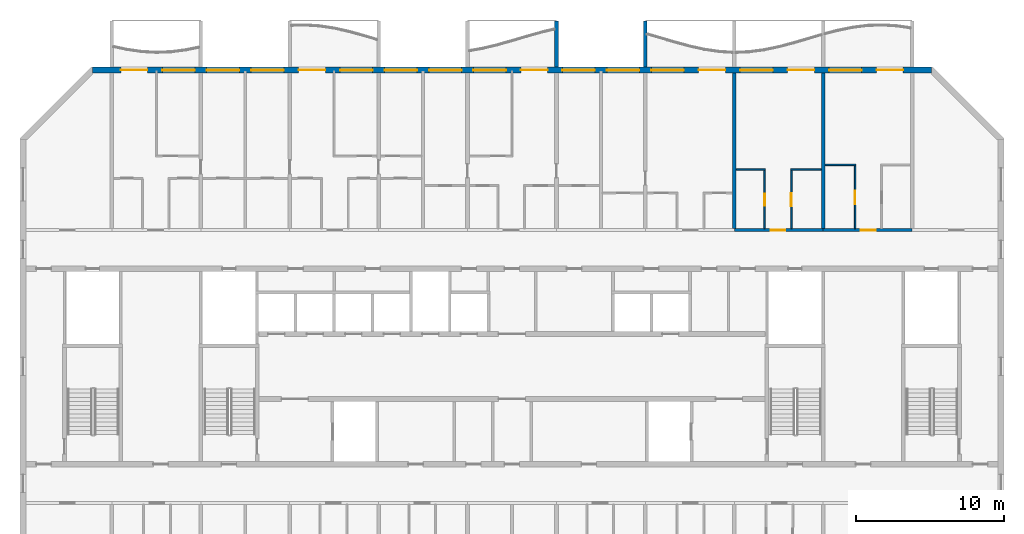
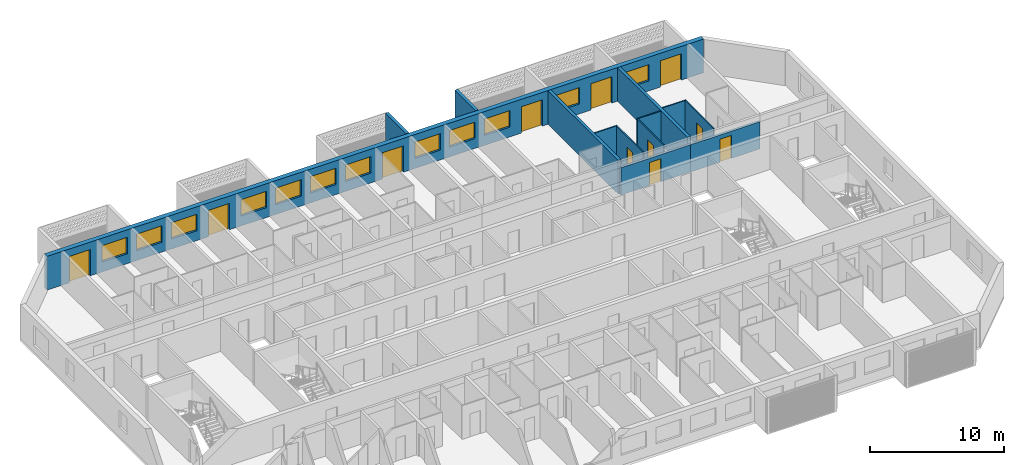
# One storey, part 10 of 26: 13 walls, 12 windows, 11 doors, 23 openings.
"""IFC4 building model written with IfcOpenShell, lengths in metres."""

from ifc_helpers import new_model, si_unit, direction, frame, frame_2d, origin, place, context, subcontext, project, spatial, polyline, rectangle, outline, extrude, source, transform, mapped, material, layer, layer_set, type_object, element, fill, save


model = new_model("IFC4")

# Units and contexts
model_context = context("Model", 3, precision=1e-05, world=origin(), true_north=direction((0.0, 1.0)))
body_context = subcontext(model_context, "Body", "Model", "MODEL_VIEW")
ifc_project = project(units=[si_unit("LENGTHUNIT", "METRE"), si_unit("AREAUNIT", "SQUARE_METRE"), si_unit("VOLUMEUNIT", "CUBIC_METRE"), si_unit("PLANEANGLEUNIT", "RADIAN"), si_unit("MASSUNIT", "GRAM", prefix="KILO")], contexts=[model_context])

# Site, building, storey
site_placement = place(None, origin())
site = spatial("IfcSite", under=ifc_project, at=site_placement, CompositionType="ELEMENT")
building_placement = place(site_placement, origin())
building = spatial("IfcBuilding", under=site, at=building_placement, Name="Poui Terraces", CompositionType="ELEMENT")
storey_placement = place(building_placement, frame((0.0, 0.0, 244.5)))
storey = spatial("IfcBuildingStorey", under=building, at=storey_placement, Name="L68", CompositionType="ELEMENT", Elevation=244.5)

# Wall, opening, door
ifc_material_1 = material(Name="Concrete 50 MPa", Category="concrete")
ifc_layer_1 = layer(ifc_material_1, 0.199951171875)
ifc_layer_set_1 = layer_set([ifc_layer_1], Name="Concrete 50 MPa")
wall_type_1 = type_object("IfcWallType", Name="CORRIDOR WALL 200 50MPa", PredefinedType="SHEAR", material=ifc_layer_set_1)
wall_1_placement = place(storey_placement, frame((66.0, 30.39990234375, 0.0), z_axis=(0.0, 0.0, 1.0), x_axis=(1.0, 0.0, 0.0)))
wall_1 = element("IfcWall", 1, at=wall_1_placement, inside=storey, type_object=wall_type_1, Name="CORRIDOR WALL LINE E BAY 9", PredefinedType="SHEAR", context=body_context, shape_type="SweptSolid", body=[
    extrude(rectangle(XDim=6.0, YDim=0.199951171875, at=frame_2d((3.0, 0.0))), origin(), (0.0, 0.0, 1.0), 2.47998046875),
])
opening_1_placement = place(wall_1_placement, frame((2.449951171875, 0.0, 0.0)))
opening_1 = element("IfcOpeningElement", 2, at=opening_1_placement, cuts=wall_1, Name="Opening FD30S", PredefinedType="OPENING", context=body_context, shape_type="SweptSolid", body=[
    extrude(rectangle(XDim=1.0, YDim=2.10009765625, at=frame_2d((0.5, 1.050048828125))), frame((0.0, 0.10986328125, 0.0), z_axis=(0.0, -1.0, 0.0), x_axis=(1.0, 0.0, 0.0)), (0.0, 0.0, 1.0), 0.219970703125),
])
ifc_material_2 = material(Name="Steel fire door", Category="steel")
door_type_1 = type_object("IfcDoorType", Name="FLAT ENTRANCE DOOR 1000 X 2100", OperationType="NOTDEFINED", PredefinedType="DOOR", material=ifc_material_2)
door_1_placement = place(opening_1_placement, origin())
door_1 = element("IfcDoor", 3, at=door_1_placement, inside=storey, type_object=door_type_1, Name="FLAT ENTRANCE DOOR 055", OperationType="SINGLE_SWING_LEFT", OverallHeight=2.10009765625, OverallWidth=1.0, PredefinedType="DOOR", context=body_context, shape_type="SweptSolid", body=[
    extrude(rectangle(XDim=1.0, YDim=2.10009765625, at=frame_2d((0.5, 1.050048828125))), frame((0.0, 0.02490234375, 0.0), z_axis=(0.0, -1.0, 0.0), x_axis=(1.0, 0.0, 0.0)), (0.0, 0.0, 1.0), 0.050048828125),
])
fill(opening_1, door_1)

wall_2_placement = place(storey_placement, frame((72.0, 30.39990234375, 0.0), z_axis=(0.0, 0.0, 1.0), x_axis=(1.0, 0.0, 0.0)))
wall_2 = element("IfcWall", 4, at=wall_2_placement, inside=storey, type_object=wall_type_1, Name="CORRIDOR WALL LINE E BAY 10", PredefinedType="SHEAR", context=body_context, shape_type="SweptSolid", body=[
    extrude(rectangle(XDim=6.0, YDim=0.199951171875, at=frame_2d((3.0, 0.0))), origin(), (0.0, 0.0, 1.0), 2.47998046875),
])
opening_2_placement = place(wall_2_placement, frame((2.550048828125, 0.0, 0.0)))
opening_2 = element("IfcOpeningElement", 5, at=opening_2_placement, cuts=wall_2, Name="Opening FD30S", PredefinedType="OPENING", context=body_context, shape_type="SweptSolid", body=[
    extrude(rectangle(XDim=1.0, YDim=2.10009765625, at=frame_2d((0.5, 1.050048828125))), frame((0.0, 0.10986328125, 0.0), z_axis=(0.0, -1.0, 0.0), x_axis=(1.0, 0.0, 0.0)), (0.0, 0.0, 1.0), 0.219970703125),
])
door_2_placement = place(opening_2_placement, origin())
door_2 = element("IfcDoor", 6, at=door_2_placement, inside=storey, type_object=door_type_1, Name="FLAT ENTRANCE DOOR 058", OperationType="SINGLE_SWING_RIGHT", OverallHeight=2.10009765625, OverallWidth=1.0, PredefinedType="DOOR", context=body_context, shape_type="SweptSolid", body=[
    extrude(rectangle(XDim=1.0, YDim=2.10009765625, at=frame_2d((0.5, 1.050048828125))), frame((0.0, 0.02490234375, 0.0), z_axis=(0.0, -1.0, 0.0), x_axis=(1.0, 0.0, 0.0)), (0.0, 0.0, 1.0), 0.050048828125),
])
fill(opening_2, door_2)

# Walls
ifc_layer_2 = layer(ifc_material_1, 0.25)
ifc_layer_set_2 = layer_set([ifc_layer_2], Name="Concrete 50 MPa")
wall_type_2 = type_object("IfcWallType", Name="CROSS WALL 250 50MPa", PredefinedType="SHEAR", material=ifc_layer_set_2)
for number, where, z_axis, x_axis, name in (
    (7, (66.0, 30.5, 0.0), (0.0, 0.0, 1.0), (0.0, 1.0, 0.0), "CROSS WALL LINE 12 NORTH"),
    (8, (72.0, 30.5, 0.0), (0.0, 0.0, 1.0), (0.0, 1.0, 0.0), "CROSS WALL LINE 13 NORTH"),
):
    element("IfcWall", number, at=place(storey_placement, frame(where, z_axis=z_axis, x_axis=x_axis)), inside=storey, type_object=wall_type_2, Name=name, PredefinedType="SHEAR", context=body_context, shape_type="SweptSolid", body=[
        extrude(rectangle(XDim=10.5, YDim=0.25, at=frame_2d((5.25, 0.0))), origin(), (0.0, 0.0, 1.0), 3.080078125),
    ])

# Wall, openings, doors, windows
ifc_material_3 = material(Name="Precast concrete 40 MPa", Category="concrete")
ifc_layer_3 = layer(ifc_material_3, 0.39990234375)
ifc_layer_set_3 = layer_set([ifc_layer_3], Name="Precast concrete 40 MPa")
wall_type_3 = type_object("IfcWallType", Name="EXTERNAL WALL 400", PredefinedType="STANDARD", material=ifc_layer_set_3)
wall_3_placement = place(storey_placement, frame((79.317138671875, 41.199951171875, 0.0), z_axis=(0.0, 0.0, 1.0), x_axis=(-1.0, 0.0, 0.0)))
wall_3 = element("IfcWall", 9, at=wall_3_placement, inside=storey, type_object=wall_type_3, Name="EXTERNAL WALL N", PredefinedType="STANDARD", context=body_context, shape_type="SweptSolid", body=[
    extrude(rectangle(XDim=56.63427734375, YDim=0.39990234375, at=frame_2d((28.317138671875, 0.0))), origin(), (0.0, 0.0, 1.0), 3.080078125),
])
opening_3_placement = place(wall_3_placement, frame((52.917236328125, 0.0, 0.0)))
opening_3 = element("IfcOpeningElement", 10, at=opening_3_placement, cuts=wall_3, Name="Opening BD1", PredefinedType="OPENING", context=body_context, shape_type="SweptSolid", body=[
    extrude(rectangle(XDim=1.800048828125, YDim=2.39990234375, at=frame_2d((0.89990234375, 1.199951171875))), frame((0.0, 0.2099609375, 0.0), z_axis=(0.0, -1.0, 0.0), x_axis=(1.0, 0.0, 0.0)), (0.0, 0.0, 1.0), 0.419921875),
])
opening_4_placement = place(wall_3_placement, frame((49.71728515625, 0.0, 0.89990234375)))
opening_4 = element("IfcOpeningElement", 11, at=opening_4_placement, cuts=wall_3, Name="Opening W1", PredefinedType="OPENING", context=body_context, shape_type="SweptSolid", body=[
    extrude(rectangle(XDim=2.199951171875, YDim=1.5, at=frame_2d((1.10009765625, 0.75))), frame((0.0, 0.2099609375, 0.0), z_axis=(0.0, -1.0, 0.0), x_axis=(1.0, 0.0, 0.0)), (0.0, 0.0, 1.0), 0.419921875),
])
opening_5_placement = place(wall_3_placement, frame((46.71728515625, 0.0, 0.89990234375)))
opening_5 = element("IfcOpeningElement", 12, at=opening_5_placement, cuts=wall_3, Name="Opening W1", PredefinedType="OPENING", context=body_context, shape_type="SweptSolid", body=[
    extrude(rectangle(XDim=2.199951171875, YDim=1.5, at=frame_2d((1.10009765625, 0.75))), frame((0.0, 0.2099609375, 0.0), z_axis=(0.0, -1.0, 0.0), x_axis=(1.0, 0.0, 0.0)), (0.0, 0.0, 1.0), 0.419921875),
])
opening_6_placement = place(wall_3_placement, frame((43.71728515625, 0.0, 0.89990234375)))
opening_6 = element("IfcOpeningElement", 13, at=opening_6_placement, cuts=wall_3, Name="Opening W1", PredefinedType="OPENING", context=body_context, shape_type="SweptSolid", body=[
    extrude(rectangle(XDim=2.199951171875, YDim=1.5, at=frame_2d((1.10009765625, 0.75))), frame((0.0, 0.2099609375, 0.0), z_axis=(0.0, -1.0, 0.0), x_axis=(1.0, 0.0, 0.0)), (0.0, 0.0, 1.0), 0.419921875),
])
opening_7_placement = place(wall_3_placement, frame((40.917236328125, 0.0, 0.0)))
opening_7 = element("IfcOpeningElement", 14, at=opening_7_placement, cuts=wall_3, Name="Opening BD1", PredefinedType="OPENING", context=body_context, shape_type="SweptSolid", body=[
    extrude(rectangle(XDim=1.800048828125, YDim=2.39990234375, at=frame_2d((0.89990234375, 1.199951171875))), frame((0.0, 0.2099609375, 0.0), z_axis=(0.0, -1.0, 0.0), x_axis=(1.0, 0.0, 0.0)), (0.0, 0.0, 1.0), 0.419921875),
])
opening_8_placement = place(wall_3_placement, frame((37.71728515625, 0.0, 0.89990234375)))
opening_8 = element("IfcOpeningElement", 15, at=opening_8_placement, cuts=wall_3, Name="Opening W1", PredefinedType="OPENING", context=body_context, shape_type="SweptSolid", body=[
    extrude(rectangle(XDim=2.199951171875, YDim=1.5, at=frame_2d((1.10009765625, 0.75))), frame((0.0, 0.2099609375, 0.0), z_axis=(0.0, -1.0, 0.0), x_axis=(1.0, 0.0, 0.0)), (0.0, 0.0, 1.0), 0.419921875),
])
opening_9_placement = place(wall_3_placement, frame((34.71728515625, 0.0, 0.89990234375)))
opening_9 = element("IfcOpeningElement", 16, at=opening_9_placement, cuts=wall_3, Name="Opening W1", PredefinedType="OPENING", context=body_context, shape_type="SweptSolid", body=[
    extrude(rectangle(XDim=2.199951171875, YDim=1.5, at=frame_2d((1.10009765625, 0.75))), frame((0.0, 0.2099609375, 0.0), z_axis=(0.0, -1.0, 0.0), x_axis=(1.0, 0.0, 0.0)), (0.0, 0.0, 1.0), 0.419921875),
])
opening_10_placement = place(wall_3_placement, frame((31.71728515625, 0.0, 0.89990234375)))
opening_10 = element("IfcOpeningElement", 17, at=opening_10_placement, cuts=wall_3, Name="Opening W1", PredefinedType="OPENING", context=body_context, shape_type="SweptSolid", body=[
    extrude(rectangle(XDim=2.199951171875, YDim=1.5, at=frame_2d((1.10009765625, 0.75))), frame((0.0, 0.2099609375, 0.0), z_axis=(0.0, -1.0, 0.0), x_axis=(1.0, 0.0, 0.0)), (0.0, 0.0, 1.0), 0.419921875),
])
opening_11_placement = place(wall_3_placement, frame((28.71728515625, 0.0, 0.89990234375)))
opening_11 = element("IfcOpeningElement", 18, at=opening_11_placement, cuts=wall_3, Name="Opening W1", PredefinedType="OPENING", context=body_context, shape_type="SweptSolid", body=[
    extrude(rectangle(XDim=2.199951171875, YDim=1.5, at=frame_2d((1.10009765625, 0.75))), frame((0.0, 0.2099609375, 0.0), z_axis=(0.0, -1.0, 0.0), x_axis=(1.0, 0.0, 0.0)), (0.0, 0.0, 1.0), 0.419921875),
])
opening_12_placement = place(wall_3_placement, frame((25.917236328125, 0.0, 0.0)))
opening_12 = element("IfcOpeningElement", 19, at=opening_12_placement, cuts=wall_3, Name="Opening BD1", PredefinedType="OPENING", context=body_context, shape_type="SweptSolid", body=[
    extrude(rectangle(XDim=1.800048828125, YDim=2.39990234375, at=frame_2d((0.89990234375, 1.199951171875))), frame((0.0, 0.2099609375, 0.0), z_axis=(0.0, -1.0, 0.0), x_axis=(1.0, 0.0, 0.0)), (0.0, 0.0, 1.0), 0.419921875),
])
opening_13_placement = place(wall_3_placement, frame((22.71728515625, 0.0, 0.89990234375)))
opening_13 = element("IfcOpeningElement", 20, at=opening_13_placement, cuts=wall_3, Name="Opening W1", PredefinedType="OPENING", context=body_context, shape_type="SweptSolid", body=[
    extrude(rectangle(XDim=2.199951171875, YDim=1.5, at=frame_2d((1.10009765625, 0.75))), frame((0.0, 0.2099609375, 0.0), z_axis=(0.0, -1.0, 0.0), x_axis=(1.0, 0.0, 0.0)), (0.0, 0.0, 1.0), 0.419921875),
])
opening_14_placement = place(wall_3_placement, frame((19.71728515625, 0.0, 0.89990234375)))
opening_14 = element("IfcOpeningElement", 21, at=opening_14_placement, cuts=wall_3, Name="Opening W1", PredefinedType="OPENING", context=body_context, shape_type="SweptSolid", body=[
    extrude(rectangle(XDim=2.199951171875, YDim=1.5, at=frame_2d((1.10009765625, 0.75))), frame((0.0, 0.2099609375, 0.0), z_axis=(0.0, -1.0, 0.0), x_axis=(1.0, 0.0, 0.0)), (0.0, 0.0, 1.0), 0.419921875),
])
opening_15_placement = place(wall_3_placement, frame((16.71728515625, 0.0, 0.89990234375)))
opening_15 = element("IfcOpeningElement", 22, at=opening_15_placement, cuts=wall_3, Name="Opening W1", PredefinedType="OPENING", context=body_context, shape_type="SweptSolid", body=[
    extrude(rectangle(XDim=2.199951171875, YDim=1.5, at=frame_2d((1.10009765625, 0.75))), frame((0.0, 0.2099609375, 0.0), z_axis=(0.0, -1.0, 0.0), x_axis=(1.0, 0.0, 0.0)), (0.0, 0.0, 1.0), 0.419921875),
])
opening_16_placement = place(wall_3_placement, frame((13.917236328125, 0.0, 0.0)))
opening_16 = element("IfcOpeningElement", 23, at=opening_16_placement, cuts=wall_3, Name="Opening BD1", PredefinedType="OPENING", context=body_context, shape_type="SweptSolid", body=[
    extrude(rectangle(XDim=1.800048828125, YDim=2.39990234375, at=frame_2d((0.89990234375, 1.199951171875))), frame((0.0, 0.2099609375, 0.0), z_axis=(0.0, -1.0, 0.0), x_axis=(1.0, 0.0, 0.0)), (0.0, 0.0, 1.0), 0.419921875),
])
opening_17_placement = place(wall_3_placement, frame((10.71728515625, 0.0, 0.89990234375)))
opening_17 = element("IfcOpeningElement", 24, at=opening_17_placement, cuts=wall_3, Name="Opening W1", PredefinedType="OPENING", context=body_context, shape_type="SweptSolid", body=[
    extrude(rectangle(XDim=2.199951171875, YDim=1.5, at=frame_2d((1.10009765625, 0.75))), frame((0.0, 0.2099609375, 0.0), z_axis=(0.0, -1.0, 0.0), x_axis=(1.0, 0.0, 0.0)), (0.0, 0.0, 1.0), 0.419921875),
])
opening_18_placement = place(wall_3_placement, frame((7.917236328125, 0.0, 0.0)))
opening_18 = element("IfcOpeningElement", 25, at=opening_18_placement, cuts=wall_3, Name="Opening BD1", PredefinedType="OPENING", context=body_context, shape_type="SweptSolid", body=[
    extrude(rectangle(XDim=1.800048828125, YDim=2.39990234375, at=frame_2d((0.89990234375, 1.199951171875))), frame((0.0, 0.2099609375, 0.0), z_axis=(0.0, -1.0, 0.0), x_axis=(1.0, 0.0, 0.0)), (0.0, 0.0, 1.0), 0.419921875),
])
opening_19_placement = place(wall_3_placement, frame((4.71728515625, 0.0, 0.89990234375)))
opening_19 = element("IfcOpeningElement", 26, at=opening_19_placement, cuts=wall_3, Name="Opening W1", PredefinedType="OPENING", context=body_context, shape_type="SweptSolid", body=[
    extrude(rectangle(XDim=2.199951171875, YDim=1.5, at=frame_2d((1.10009765625, 0.75))), frame((0.0, 0.2099609375, 0.0), z_axis=(0.0, -1.0, 0.0), x_axis=(1.0, 0.0, 0.0)), (0.0, 0.0, 1.0), 0.419921875),
])
opening_20_placement = place(wall_3_placement, frame((1.917236328125, 0.0, 0.0)))
opening_20 = element("IfcOpeningElement", 27, at=opening_20_placement, cuts=wall_3, Name="Opening BD1", PredefinedType="OPENING", context=body_context, shape_type="SweptSolid", body=[
    extrude(rectangle(XDim=1.800048828125, YDim=2.39990234375, at=frame_2d((0.89990234375, 1.199951171875))), frame((0.0, 0.2099609375, 0.0), z_axis=(0.0, -1.0, 0.0), x_axis=(1.0, 0.0, 0.0)), (0.0, 0.0, 1.0), 0.419921875),
])
ifc_material_4 = material(Name="Clear glass in aluminium frame", Category="aluminium")
door_type_2 = type_object("IfcDoorType", Name="BALCONY DOOR 1800X2400", OperationType="DOUBLE_DOOR_SLIDING", PredefinedType="DOOR", material=ifc_material_4)
door_3_placement = place(opening_3_placement, origin())
door_3 = element("IfcDoor", 28, at=door_3_placement, inside=storey, type_object=door_type_2, Name="BD1 BALCONY DOOR", OperationType="DOUBLE_DOOR_SLIDING", OverallHeight=2.39990234375, OverallWidth=1.800048828125, PredefinedType="DOOR", context=body_context, shape_type="SweptSolid", body=[
    extrude(rectangle(XDim=1.800048828125, YDim=2.39990234375, at=frame_2d((0.89990234375, 1.199951171875))), frame((0.0, 0.02490234375, 0.0), z_axis=(0.0, -1.0, 0.0), x_axis=(1.0, 0.0, 0.0)), (0.0, 0.0, 1.0), 0.050048828125),
])
fill(opening_3, door_3)
door_4_placement = place(opening_7_placement, origin())
door_4 = element("IfcDoor", 29, at=door_4_placement, inside=storey, type_object=door_type_2, Name="BD1 BALCONY DOOR", OperationType="DOUBLE_DOOR_SLIDING", OverallHeight=2.39990234375, OverallWidth=1.800048828125, PredefinedType="DOOR", context=body_context, shape_type="SweptSolid", body=[
    extrude(rectangle(XDim=1.800048828125, YDim=2.39990234375, at=frame_2d((0.89990234375, 1.199951171875))), frame((0.0, 0.02490234375, 0.0), z_axis=(0.0, -1.0, 0.0), x_axis=(1.0, 0.0, 0.0)), (0.0, 0.0, 1.0), 0.050048828125),
])
fill(opening_7, door_4)
door_5_placement = place(opening_12_placement, origin())
door_5 = element("IfcDoor", 30, at=door_5_placement, inside=storey, type_object=door_type_2, Name="BD1 BALCONY DOOR", OperationType="DOUBLE_DOOR_SLIDING", OverallHeight=2.39990234375, OverallWidth=1.800048828125, PredefinedType="DOOR", context=body_context, shape_type="SweptSolid", body=[
    extrude(rectangle(XDim=1.800048828125, YDim=2.39990234375, at=frame_2d((0.89990234375, 1.199951171875))), frame((0.0, 0.02490234375, 0.0), z_axis=(0.0, -1.0, 0.0), x_axis=(1.0, 0.0, 0.0)), (0.0, 0.0, 1.0), 0.050048828125),
])
fill(opening_12, door_5)
door_6_placement = place(opening_16_placement, origin())
door_6 = element("IfcDoor", 31, at=door_6_placement, inside=storey, type_object=door_type_2, Name="BD1 BALCONY DOOR", OperationType="DOUBLE_DOOR_SLIDING", OverallHeight=2.39990234375, OverallWidth=1.800048828125, PredefinedType="DOOR", context=body_context, shape_type="SweptSolid", body=[
    extrude(rectangle(XDim=1.800048828125, YDim=2.39990234375, at=frame_2d((0.89990234375, 1.199951171875))), frame((0.0, 0.02490234375, 0.0), z_axis=(0.0, -1.0, 0.0), x_axis=(1.0, 0.0, 0.0)), (0.0, 0.0, 1.0), 0.050048828125),
])
fill(opening_16, door_6)
door_7_placement = place(opening_18_placement, origin())
door_7 = element("IfcDoor", 32, at=door_7_placement, inside=storey, type_object=door_type_2, Name="BD1 BALCONY DOOR", OperationType="DOUBLE_DOOR_SLIDING", OverallHeight=2.39990234375, OverallWidth=1.800048828125, PredefinedType="DOOR", context=body_context, shape_type="SweptSolid", body=[
    extrude(rectangle(XDim=1.800048828125, YDim=2.39990234375, at=frame_2d((0.89990234375, 1.199951171875))), frame((0.0, 0.02490234375, 0.0), z_axis=(0.0, -1.0, 0.0), x_axis=(1.0, 0.0, 0.0)), (0.0, 0.0, 1.0), 0.050048828125),
])
fill(opening_18, door_7)
door_8_placement = place(opening_20_placement, origin())
door_8 = element("IfcDoor", 33, at=door_8_placement, inside=storey, type_object=door_type_2, Name="BD1 BALCONY DOOR", OperationType="DOUBLE_DOOR_SLIDING", OverallHeight=2.39990234375, OverallWidth=1.800048828125, PredefinedType="DOOR", context=body_context, shape_type="SweptSolid", body=[
    extrude(rectangle(XDim=1.800048828125, YDim=2.39990234375, at=frame_2d((0.89990234375, 1.199951171875))), frame((0.0, 0.02490234375, 0.0), z_axis=(0.0, -1.0, 0.0), x_axis=(1.0, 0.0, 0.0)), (0.0, 0.0, 1.0), 0.050048828125),
])
fill(opening_20, door_8)
window_type = type_object("IfcWindowType", Name="WINDOW 2200X1500", PartitioningType="DOUBLE_PANEL_HORIZONTAL", PredefinedType="WINDOW", material=ifc_material_4)
window_1_placement = place(opening_4_placement, origin())
window_1 = element("IfcWindow", 34, at=window_1_placement, inside=storey, type_object=window_type, Name="W1 WINDOW", OverallHeight=1.5, OverallWidth=2.199951171875, PartitioningType="DOUBLE_PANEL_HORIZONTAL", PredefinedType="WINDOW", context=body_context, shape_type="SweptSolid", body=[
    extrude(rectangle(XDim=2.199951171875, YDim=1.5, at=frame_2d((1.10009765625, 0.75))), frame((0.0, 0.030029296875, 0.0), z_axis=(0.0, -1.0, 0.0), x_axis=(1.0, 0.0, 0.0)), (0.0, 0.0, 1.0), 0.06005859375),
])
fill(opening_4, window_1)
window_2_placement = place(opening_5_placement, origin())
window_2 = element("IfcWindow", 35, at=window_2_placement, inside=storey, type_object=window_type, Name="W1 WINDOW", OverallHeight=1.5, OverallWidth=2.199951171875, PartitioningType="DOUBLE_PANEL_HORIZONTAL", PredefinedType="WINDOW", context=body_context, shape_type="SweptSolid", body=[
    extrude(rectangle(XDim=2.199951171875, YDim=1.5, at=frame_2d((1.10009765625, 0.75))), frame((0.0, 0.030029296875, 0.0), z_axis=(0.0, -1.0, 0.0), x_axis=(1.0, 0.0, 0.0)), (0.0, 0.0, 1.0), 0.06005859375),
])
fill(opening_5, window_2)
window_3_placement = place(opening_6_placement, origin())
window_3 = element("IfcWindow", 36, at=window_3_placement, inside=storey, type_object=window_type, Name="W1 WINDOW", OverallHeight=1.5, OverallWidth=2.199951171875, PartitioningType="DOUBLE_PANEL_HORIZONTAL", PredefinedType="WINDOW", context=body_context, shape_type="SweptSolid", body=[
    extrude(rectangle(XDim=2.199951171875, YDim=1.5, at=frame_2d((1.10009765625, 0.75))), frame((0.0, 0.030029296875, 0.0), z_axis=(0.0, -1.0, 0.0), x_axis=(1.0, 0.0, 0.0)), (0.0, 0.0, 1.0), 0.06005859375),
])
fill(opening_6, window_3)
window_4_placement = place(opening_8_placement, origin())
window_4 = element("IfcWindow", 37, at=window_4_placement, inside=storey, type_object=window_type, Name="W1 WINDOW", OverallHeight=1.5, OverallWidth=2.199951171875, PartitioningType="DOUBLE_PANEL_HORIZONTAL", PredefinedType="WINDOW", context=body_context, shape_type="SweptSolid", body=[
    extrude(rectangle(XDim=2.199951171875, YDim=1.5, at=frame_2d((1.10009765625, 0.75))), frame((0.0, 0.030029296875, 0.0), z_axis=(0.0, -1.0, 0.0), x_axis=(1.0, 0.0, 0.0)), (0.0, 0.0, 1.0), 0.06005859375),
])
fill(opening_8, window_4)
window_5_placement = place(opening_9_placement, origin())
window_5 = element("IfcWindow", 38, at=window_5_placement, inside=storey, type_object=window_type, Name="W1 WINDOW", OverallHeight=1.5, OverallWidth=2.199951171875, PartitioningType="DOUBLE_PANEL_HORIZONTAL", PredefinedType="WINDOW", context=body_context, shape_type="SweptSolid", body=[
    extrude(rectangle(XDim=2.199951171875, YDim=1.5, at=frame_2d((1.10009765625, 0.75))), frame((0.0, 0.030029296875, 0.0), z_axis=(0.0, -1.0, 0.0), x_axis=(1.0, 0.0, 0.0)), (0.0, 0.0, 1.0), 0.06005859375),
])
fill(opening_9, window_5)
window_6_placement = place(opening_10_placement, origin())
window_6 = element("IfcWindow", 39, at=window_6_placement, inside=storey, type_object=window_type, Name="W1 WINDOW", OverallHeight=1.5, OverallWidth=2.199951171875, PartitioningType="DOUBLE_PANEL_HORIZONTAL", PredefinedType="WINDOW", context=body_context, shape_type="SweptSolid", body=[
    extrude(rectangle(XDim=2.199951171875, YDim=1.5, at=frame_2d((1.10009765625, 0.75))), frame((0.0, 0.030029296875, 0.0), z_axis=(0.0, -1.0, 0.0), x_axis=(1.0, 0.0, 0.0)), (0.0, 0.0, 1.0), 0.06005859375),
])
fill(opening_10, window_6)
window_7_placement = place(opening_11_placement, origin())
window_7 = element("IfcWindow", 40, at=window_7_placement, inside=storey, type_object=window_type, Name="W1 WINDOW", OverallHeight=1.5, OverallWidth=2.199951171875, PartitioningType="DOUBLE_PANEL_HORIZONTAL", PredefinedType="WINDOW", context=body_context, shape_type="SweptSolid", body=[
    extrude(rectangle(XDim=2.199951171875, YDim=1.5, at=frame_2d((1.10009765625, 0.75))), frame((0.0, 0.030029296875, 0.0), z_axis=(0.0, -1.0, 0.0), x_axis=(1.0, 0.0, 0.0)), (0.0, 0.0, 1.0), 0.06005859375),
])
fill(opening_11, window_7)
window_8_placement = place(opening_13_placement, origin())
window_8 = element("IfcWindow", 41, at=window_8_placement, inside=storey, type_object=window_type, Name="W1 WINDOW", OverallHeight=1.5, OverallWidth=2.199951171875, PartitioningType="DOUBLE_PANEL_HORIZONTAL", PredefinedType="WINDOW", context=body_context, shape_type="SweptSolid", body=[
    extrude(rectangle(XDim=2.199951171875, YDim=1.5, at=frame_2d((1.10009765625, 0.75))), frame((0.0, 0.030029296875, 0.0), z_axis=(0.0, -1.0, 0.0), x_axis=(1.0, 0.0, 0.0)), (0.0, 0.0, 1.0), 0.06005859375),
])
fill(opening_13, window_8)
window_9_placement = place(opening_14_placement, origin())
window_9 = element("IfcWindow", 42, at=window_9_placement, inside=storey, type_object=window_type, Name="W1 WINDOW", OverallHeight=1.5, OverallWidth=2.199951171875, PartitioningType="DOUBLE_PANEL_HORIZONTAL", PredefinedType="WINDOW", context=body_context, shape_type="SweptSolid", body=[
    extrude(rectangle(XDim=2.199951171875, YDim=1.5, at=frame_2d((1.10009765625, 0.75))), frame((0.0, 0.030029296875, 0.0), z_axis=(0.0, -1.0, 0.0), x_axis=(1.0, 0.0, 0.0)), (0.0, 0.0, 1.0), 0.06005859375),
])
fill(opening_14, window_9)
window_10_placement = place(opening_15_placement, origin())
window_10 = element("IfcWindow", 43, at=window_10_placement, inside=storey, type_object=window_type, Name="W1 WINDOW", OverallHeight=1.5, OverallWidth=2.199951171875, PartitioningType="DOUBLE_PANEL_HORIZONTAL", PredefinedType="WINDOW", context=body_context, shape_type="SweptSolid", body=[
    extrude(rectangle(XDim=2.199951171875, YDim=1.5, at=frame_2d((1.10009765625, 0.75))), frame((0.0, 0.030029296875, 0.0), z_axis=(0.0, -1.0, 0.0), x_axis=(1.0, 0.0, 0.0)), (0.0, 0.0, 1.0), 0.06005859375),
])
fill(opening_15, window_10)
window_11_placement = place(opening_17_placement, origin())
window_11 = element("IfcWindow", 44, at=window_11_placement, inside=storey, type_object=window_type, Name="W1 WINDOW", OverallHeight=1.5, OverallWidth=2.199951171875, PartitioningType="DOUBLE_PANEL_HORIZONTAL", PredefinedType="WINDOW", context=body_context, shape_type="SweptSolid", body=[
    extrude(rectangle(XDim=2.199951171875, YDim=1.5, at=frame_2d((1.10009765625, 0.75))), frame((0.0, 0.030029296875, 0.0), z_axis=(0.0, -1.0, 0.0), x_axis=(1.0, 0.0, 0.0)), (0.0, 0.0, 1.0), 0.06005859375),
])
fill(opening_17, window_11)
window_12_placement = place(opening_19_placement, origin())
window_12 = element("IfcWindow", 45, at=window_12_placement, inside=storey, type_object=window_type, Name="W1 WINDOW", OverallHeight=1.5, OverallWidth=2.199951171875, PartitioningType="DOUBLE_PANEL_HORIZONTAL", PredefinedType="WINDOW", context=body_context, shape_type="SweptSolid", body=[
    extrude(rectangle(XDim=2.199951171875, YDim=1.5, at=frame_2d((1.10009765625, 0.75))), frame((0.0, 0.030029296875, 0.0), z_axis=(0.0, -1.0, 0.0), x_axis=(1.0, 0.0, 0.0)), (0.0, 0.0, 1.0), 0.06005859375),
])
fill(opening_19, window_12)

# Walls
ifc_material_5 = material(Name="Plasterboard partition")
ifc_layer_4 = layer(ifc_material_5, 0.10009765625)
ifc_layer_set_4 = layer_set([ifc_layer_4], Name="Plasterboard partition")
wall_type_4 = type_object("IfcWallType", Name="FLAT PARTITION 100", PredefinedType="PARTITIONING", material=ifc_layer_set_4)
wall_4_placement = place(storey_placement, frame((66.135009765625, 34.5, 0.0), z_axis=(0.0, 0.0, 1.0), x_axis=(1.0, 0.0, 0.0)))
element("IfcWall", 46, at=wall_4_placement, inside=storey, type_object=wall_type_4, Name="FLAT PARTITION 100", PredefinedType="PARTITIONING", context=body_context, shape_type="SweptSolid", body=[
    extrude(rectangle(XDim=1.965087890625, YDim=0.10009765625, at=frame_2d((0.982421875, 0.0))), origin(), (0.0, 0.0, 1.0), 3.080078125),
])
for number, where, z_axis, x_axis, name in (
    (47, (69.800048828125, 34.5, 0.0), (0.0, 0.0, 1.0), (1.0, 0.0, 0.0), "FLAT PARTITION 100"),
    (48, (72.135009765625, 34.800048828125, 0.0), (0.0, 0.0, 1.0), (1.0, 0.0, 0.0), "FLAT PARTITION 100"),
):
    element("IfcWall", number, at=place(storey_placement, frame(where, z_axis=z_axis, x_axis=x_axis)), inside=storey, type_object=wall_type_4, Name=name, PredefinedType="PARTITIONING", context=body_context, shape_type="SweptSolid", body=[
        extrude(rectangle(XDim=2.06494140625, YDim=0.10009765625, at=frame_2d((1.032470703125, 0.0))), origin(), (0.0, 0.0, 1.0), 3.080078125),
    ])

# Wall, opening, door
wall_5_placement = place(storey_placement, frame((68.050048828125, 30.510009765625, 0.0), z_axis=(0.0, 0.0, 1.0), x_axis=(0.0, 1.0, 0.0)))
wall_5 = element("IfcWall", 49, at=wall_5_placement, inside=storey, type_object=wall_type_4, Name="FLAT PARTITION 100", PredefinedType="PARTITIONING", context=body_context, shape_type="SweptSolid", body=[
    extrude(rectangle(XDim=3.93994140625, YDim=0.10009765625, at=frame_2d((1.969970703125, 0.0))), origin(), (0.0, 0.0, 1.0), 3.080078125),
])
opening_21_placement = place(wall_5_placement, frame((1.5400390625, 0.0, 0.0)))
opening_21 = element("IfcOpeningElement", 50, at=opening_21_placement, cuts=wall_5, Name="Opening D80", PredefinedType="OPENING", context=body_context, shape_type="SweptSolid", body=[
    extrude(rectangle(XDim=0.800048828125, YDim=2.10009765625, at=frame_2d((0.39990234375, 1.050048828125))), frame((0.0, 0.06005859375, 0.0), z_axis=(0.0, -1.0, 0.0), x_axis=(1.0, 0.0, 0.0)), (0.0, 0.0, 1.0), 0.1201171875),
])
ifc_material_6 = material(Name="Solid core timber door", Category="wood")
door_type_3 = type_object("IfcDoorType", Name="BATHROOM, LAUNDRY AND STORE DOOR 800 X 2100", OperationType="NOTDEFINED", PredefinedType="DOOR", material=ifc_material_6)
door_9_placement = place(opening_21_placement, origin())
door_9 = element("IfcDoor", 51, at=door_9_placement, inside=storey, type_object=door_type_3, Name="BATHROOM, LAUNDRY AND STORE DOOR 054", OperationType="SINGLE_SWING_LEFT", OverallHeight=2.10009765625, OverallWidth=0.800048828125, PredefinedType="DOOR", context=body_context, shape_type="SweptSolid", body=[
    extrude(rectangle(XDim=0.800048828125, YDim=2.10009765625, at=frame_2d((0.39990234375, 1.050048828125))), frame((0.0, 0.02490234375, 0.0), z_axis=(0.0, -1.0, 0.0), x_axis=(1.0, 0.0, 0.0)), (0.0, 0.0, 1.0), 0.050048828125),
])
fill(opening_21, door_9)

wall_6_placement = place(storey_placement, frame((69.85009765625, 30.510009765625, 0.0), z_axis=(0.0, 0.0, 1.0), x_axis=(0.0, 1.0, 0.0)))
wall_6 = element("IfcWall", 52, at=wall_6_placement, inside=storey, type_object=wall_type_4, Name="FLAT PARTITION 100", PredefinedType="PARTITIONING", context=body_context, shape_type="SweptSolid", body=[
    extrude(rectangle(XDim=3.93994140625, YDim=0.10009765625, at=frame_2d((1.969970703125, 0.0))), origin(), (0.0, 0.0, 1.0), 3.080078125),
])
opening_22_placement = place(wall_6_placement, frame((1.489990234375, 0.0, 0.0)))
opening_22 = element("IfcOpeningElement", 53, at=opening_22_placement, cuts=wall_6, Name="Opening D90", PredefinedType="OPENING", context=body_context, shape_type="SweptSolid", body=[
    extrude(rectangle(XDim=0.89990234375, YDim=2.10009765625, at=frame_2d((0.449951171875, 1.050048828125))), frame((0.0, 0.06005859375, 0.0), z_axis=(0.0, -1.0, 0.0), x_axis=(1.0, 0.0, 0.0)), (0.0, 0.0, 1.0), 0.1201171875),
])
door_type_4 = type_object("IfcDoorType", Name="INTERNAL DOOR 900 X 2100", OperationType="NOTDEFINED", PredefinedType="DOOR", material=ifc_material_6)
door_10_placement = place(opening_22_placement, frame((0.89990234375, 0.0, 0.0), z_axis=(0.0, 0.0, 1.0), x_axis=(-1.0, 0.0, 0.0)))
door_10 = element("IfcDoor", 54, at=door_10_placement, inside=storey, type_object=door_type_4, Name="INTERNAL DOOR 056", OperationType="SINGLE_SWING_LEFT", OverallHeight=2.10009765625, OverallWidth=0.89990234375, PredefinedType="DOOR", context=body_context, shape_type="SweptSolid", body=[
    extrude(rectangle(XDim=0.89990234375, YDim=2.10009765625, at=frame_2d((0.449951171875, 1.050048828125))), frame((0.0, 0.02490234375, 0.0), z_axis=(0.0, -1.0, 0.0), x_axis=(1.0, 0.0, 0.0)), (0.0, 0.0, 1.0), 0.050048828125),
])
fill(opening_22, door_10)

wall_7_placement = place(storey_placement, frame((74.14990234375, 30.510009765625, 0.0), z_axis=(0.0, 0.0, 1.0), x_axis=(0.0, 1.0, 0.0)))
wall_7 = element("IfcWall", 55, at=wall_7_placement, inside=storey, type_object=wall_type_4, Name="FLAT PARTITION 100", PredefinedType="PARTITIONING", context=body_context, shape_type="SweptSolid", body=[
    extrude(rectangle(XDim=4.239990234375, YDim=0.10009765625, at=frame_2d((2.1201171875, 0.0))), origin(), (0.0, 0.0, 1.0), 3.080078125),
])
opening_23_placement = place(wall_7_placement, frame((1.639892578125, 0.0, 0.0)))
opening_23 = element("IfcOpeningElement", 56, at=opening_23_placement, cuts=wall_7, Name="Opening D90", PredefinedType="OPENING", context=body_context, shape_type="SweptSolid", body=[
    extrude(rectangle(XDim=0.89990234375, YDim=2.10009765625, at=frame_2d((0.449951171875, 1.050048828125))), frame((0.0, 0.06005859375, 0.0), z_axis=(0.0, -1.0, 0.0), x_axis=(1.0, 0.0, 0.0)), (0.0, 0.0, 1.0), 0.1201171875),
])
door_11_placement = place(opening_23_placement, origin())
door_11 = element("IfcDoor", 57, at=door_11_placement, inside=storey, type_object=door_type_4, Name="INTERNAL DOOR 057", OperationType="SINGLE_SWING_RIGHT", OverallHeight=2.10009765625, OverallWidth=0.89990234375, PredefinedType="DOOR", context=body_context, shape_type="SweptSolid", body=[
    extrude(rectangle(XDim=0.89990234375, YDim=2.10009765625, at=frame_2d((0.449951171875, 1.050048828125))), frame((0.0, 0.02490234375, 0.0), z_axis=(0.0, -1.0, 0.0), x_axis=(1.0, 0.0, 0.0)), (0.0, 0.0, 1.0), 0.050048828125),
])
fill(opening_23, door_11)

# Walls
ifc_layer_5 = layer(ifc_material_3, 0.25)
ifc_layer_set_5 = layer_set([ifc_layer_5], Name="Precast concrete 40 MPa")
wall_type_5 = type_object("IfcWallType", Name="BALCONY FIN 250", PredefinedType="STANDARD", material=ifc_layer_set_5)
shared_shape = source(origin(), body_context, "Body", "SweptSolid", [
    extrude(outline(polyline([(0.0, 0.0), (0.25, 0.0), (0.25, 3.10009765625), (0.0, 3.10009765625), (0.0, 0.0)])), origin(), (0.0, 0.0, 1.0), 3.10009765625),
])
for number, where, name in (
    (58, (53.875, 41.39990234375, 0.0), "BALCONY FIN"),
    (59, (59.875, 41.39990234375, 0.0), "BALCONY FIN"),
):
    element("IfcWall", number, at=place(storey_placement, frame(where)), inside=storey, type_object=wall_type_5, Name=name, PredefinedType="STANDARD", context=body_context, shape_type="MappedRepresentation", body=[
        mapped(shared_shape, transform((0.0, 0.0, 0.0))),
    ])

save(model, "model.ifc")
